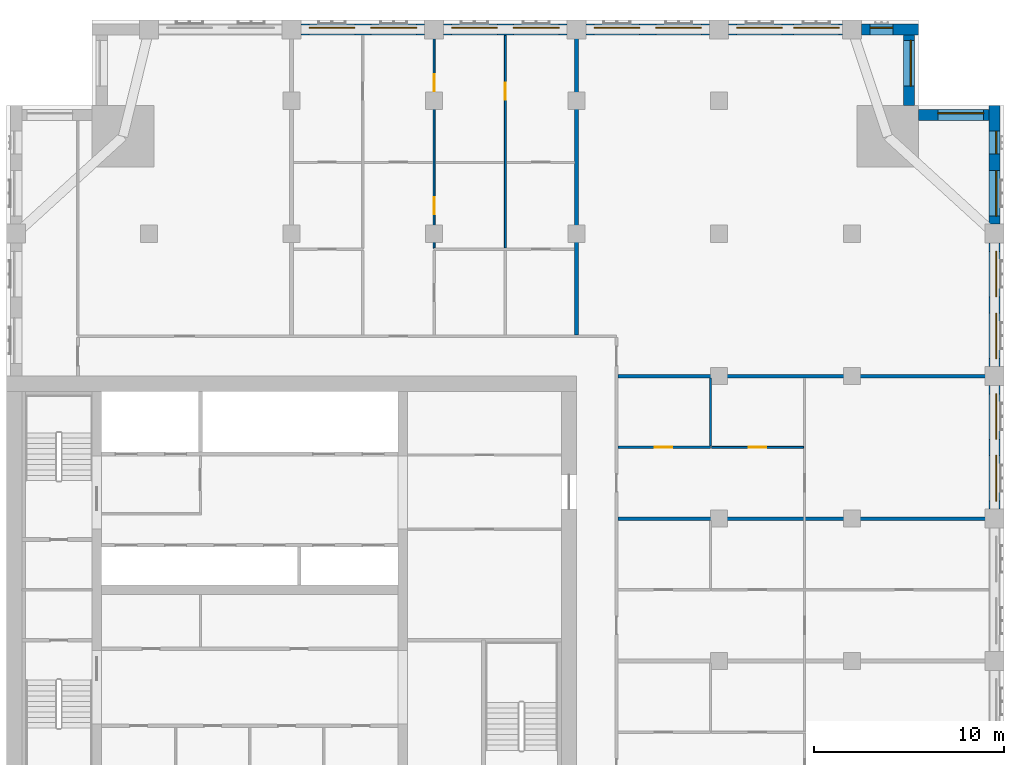
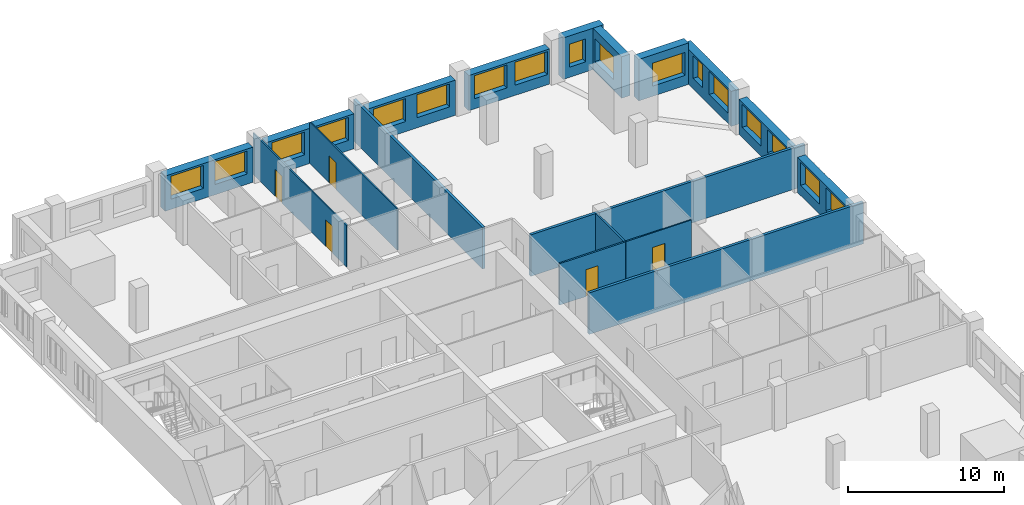
# One storey, part 11 of 14: 18 walls, 17 windows, 5 doors, 22 openings.
"""IFC4 building model written with IfcOpenShell, lengths in metres."""

import ifcopenshell
import ifcopenshell.guid

model = None  # the IFC model being written
_history = None  # IfcOwnerHistory: only IFC2X3 demands one
_inside = {}  # id of a spatial element -> (the spatial element, [elements in it])
_under = {}  # id of a project, library or spatial element -> (it, [spatial elements below it])
_declared = {}  # id of a project -> (the project, [libraries it declares])
_typed = {}  # id of a type object -> (the type object, [elements of that type])
_made_of = {}  # id of a material, layer set ... -> (it, [elements and type objects made of it])


def new_model(schema):
    """Start an empty IFC model of exactly this schema.

    Asked for "IFC4X3", IfcOpenShell would pick the latest addendum, in which some entities
    have other attributes; the version numbers below select the first issue.
    IFC2X3 requires an IfcOwnerHistory on every rooted entity: one is made here for all.
    """
    global model, _history
    if schema == "IFC4X3":
        model = ifcopenshell.file(schema_version=(4, 3, 0, 0))
    else:
        model = ifcopenshell.file(schema=schema)
    _inside.clear()
    _under.clear()
    _declared.clear()
    _typed.clear()
    _made_of.clear()
    _history = None
    if model.schema == "IFC2X3":
        org = make("IfcOrganization", Name="unknown")
        user = make(
            "IfcPersonAndOrganization",
            ThePerson=make("IfcPerson", FamilyName="unknown"),
            TheOrganization=org,
        )
        app = make(
            "IfcApplication",
            ApplicationDeveloper=org,
            Version="unknown",
            ApplicationFullName="unknown",
            ApplicationIdentifier="unknown",
        )
        _history = make(
            "IfcOwnerHistory",
            OwningUser=user,
            OwningApplication=app,
            ChangeAction="ADDED",
            CreationDate=0,
        )
    return model


def make(cls, **values):
    """One entity of the class cls with the attributes given. An attribute that is None is left unset."""
    return model.create_entity(
        cls, **{name: value for name, value in values.items() if value is not None}
    )


def rooted(cls, **values):
    """An entity with a GlobalId (a new one), such as an element, a storey or a relation."""
    return make(cls, GlobalId=ifcopenshell.guid.new(), OwnerHistory=_history, **values)


def si_unit(unit_type, name, prefix=None):
    """IfcSIUnit, for example si_unit("LENGTHUNIT", "METRE", prefix="MILLI")."""
    return make("IfcSIUnit", UnitType=unit_type, Prefix=prefix, Name=name)


def assignment(units):
    """IfcUnitAssignment: the units of a project."""
    return None if units is None else make("IfcUnitAssignment", Units=units)


def point(xyz):
    """IfcCartesianPoint."""
    return None if xyz is None else make("IfcCartesianPoint", Coordinates=xyz)


def direction(xyz):
    """IfcDirection."""
    return None if xyz is None else make("IfcDirection", DirectionRatios=xyz)


def frame(location, z_axis=None, x_axis=None):
    """IfcAxis2Placement3D, a coordinate frame: its origin and axes. An axis left out is left unset."""
    return make(
        "IfcAxis2Placement3D",
        Location=point(location),
        Axis=direction(z_axis),
        RefDirection=direction(x_axis),
    )


def frame_2d(location, x_axis=None):
    """IfcAxis2Placement2D, a coordinate frame in the plane: its origin and x axis."""
    return make(
        "IfcAxis2Placement2D", Location=point(location), RefDirection=direction(x_axis)
    )


def origin():
    """The frame at (0, 0, 0) with its axes left unset."""
    return frame((0.0, 0.0, 0.0))


def place(relative_to, where):
    """IfcLocalPlacement: puts the frame where relative to a parent placement (None: the world)."""
    return make(
        "IfcLocalPlacement", PlacementRelTo=relative_to, RelativePlacement=where
    )


def context(
    kind, dimensions, precision=None, world=None, true_north=None, identifier=None
):
    """IfcGeometricRepresentationContext, for example the 3D "Model" context."""
    return make(
        "IfcGeometricRepresentationContext",
        ContextIdentifier=identifier,
        ContextType=kind,
        CoordinateSpaceDimension=dimensions,
        Precision=precision,
        WorldCoordinateSystem=world,
        TrueNorth=true_north,
    )


def subcontext(parent, identifier, kind, view, scale=None):
    """IfcGeometricRepresentationSubContext, for example "Body" below "Model"."""
    return make(
        "IfcGeometricRepresentationSubContext",
        ContextIdentifier=identifier,
        ContextType=kind,
        ParentContext=parent,
        TargetScale=scale,
        TargetView=view,
    )


def project(units=None, contexts=None):
    """IfcProject with its units and contexts."""
    return rooted(
        "IfcProject",
        Name="project",
        RepresentationContexts=contexts,
        UnitsInContext=assignment(units),
    )


def spatial(cls, under=None, at=None, **own):
    """A site, building, storey or space (cls), placed at a placement, below another one or the project."""
    s = rooted(cls, ObjectPlacement=at, **own)
    if under is not None:
        _under.setdefault(under.id(), (under, []))[1].append(s)
    return s


def profile(cls, at=None, kind="AREA", **sizes):
    """A parametric profile (cls). Its sizes go by their IFC names, for example OverallWidth=200.0."""
    return make(cls, ProfileType=kind, Position=at, **sizes)


def rectangle(**sizes):
    """IfcRectangleProfileDef."""
    return profile("IfcRectangleProfileDef", **sizes)


def extrude(swept, where, along, depth):
    """IfcExtrudedAreaSolid: the profile swept, set in the frame where, extruded along a direction by depth."""
    return make(
        "IfcExtrudedAreaSolid",
        SweptArea=swept,
        Position=where,
        ExtrudedDirection=direction(along),
        Depth=depth,
    )


def shape(context_of_items, identifier, shape_type, items):
    """IfcShapeRepresentation: the items that make up one representation, for example the "Body"."""
    return make(
        "IfcShapeRepresentation",
        ContextOfItems=context_of_items,
        RepresentationIdentifier=identifier,
        RepresentationType=shape_type,
        Items=items,
    )


def material(Name=None, Category=None):
    """IfcMaterial."""
    return make("IfcMaterial", Name=Name, Category=Category)


def layer(
    of_material, thickness, ventilated=None, Name=None, Category=None, Priority=None
):
    """IfcMaterialLayer: one layer of a wall or slab, of a material (None: an air gap)."""
    return make(
        "IfcMaterialLayer",
        Material=of_material,
        LayerThickness=thickness,
        IsVentilated=ventilated,
        Name=Name,
        Category=Category,
        Priority=Priority,
    )


def layer_set(layers, Name=None):
    """IfcMaterialLayerSet."""
    return make("IfcMaterialLayerSet", MaterialLayers=layers, LayerSetName=Name)


def made_of(thing, what):
    """Note that an element or type object is made of a material, layer set ...; save() writes the relation."""
    if what is not None:
        _made_of.setdefault(what.id(), (what, []))[1].append(thing)
    return thing


def type_object(cls, material=None, **own):
    """A type object (cls), such as IfcWallType, which elements share."""
    return made_of(rooted(cls, **own), material)


def element(
    cls,
    number,
    at=None,
    inside=None,
    cuts=None,
    type_object=None,
    material=None,
    context=None,
    identifier="Body",
    shape_type=None,
    held_by="IfcProductDefinitionShape",
    body=None,
    shapes=None,
    **own,
):
    """One element of the class cls, such as IfcWall. Its Tag is "e" and its number.

    at: its placement. inside: the storey or other place that contains it. cuts: it is an
    opening in that element (IfcRelVoidsElement). A single representation is given by context,
    identifier, shape_type and body (its items); several are given by shapes. held_by: the class
    of the entity that holds the representations. save() writes the other relations.
    """
    e = rooted(cls, Tag="e%d" % number, ObjectPlacement=at, **own)
    if body is not None:
        shapes = [shape(context, identifier, shape_type, body)]
    if shapes is not None:
        e.Representation = make(held_by, Representations=shapes)
    if inside is not None:
        _inside.setdefault(inside.id(), (inside, []))[1].append(e)
    if cuts is not None:
        rooted(
            "IfcRelVoidsElement", RelatingBuildingElement=cuts, RelatedOpeningElement=e
        )
    if type_object is not None:
        _typed.setdefault(type_object.id(), (type_object, []))[1].append(e)
    return made_of(e, material)


def fill(opening, filler):
    """IfcRelFillsElement: the door or window that sits in an opening."""
    return rooted(
        "IfcRelFillsElement",
        RelatingOpeningElement=opening,
        RelatedBuildingElement=filler,
    )


def aggregate(whole, parts):
    """IfcRelAggregates: a whole, such as a stair, and the parts it consists of."""
    return rooted("IfcRelAggregates", RelatingObject=whole, RelatedObjects=parts)


def save(model, path):
    """Write the relations noted so far, then the file.

    IfcRelAggregates (storeys below a building ...), IfcRelContainedInSpatialStructure (elements
    in a storey), IfcRelDefinesByType, IfcRelAssociatesMaterial and IfcRelDeclares: one each for
    every whole, place, type object, material and project.
    """
    for whole, parts in _under.values():
        aggregate(whole, parts)
    for where, things in _inside.values():
        rooted(
            "IfcRelContainedInSpatialStructure",
            RelatedElements=things,
            RelatingStructure=where,
        )
    for kind, things in _typed.values():
        rooted("IfcRelDefinesByType", RelatedObjects=things, RelatingType=kind)
    for what, things in _made_of.values():
        rooted("IfcRelAssociatesMaterial", RelatedObjects=things, RelatingMaterial=what)
    for by, libraries in _declared.values():
        rooted("IfcRelDeclares", RelatingContext=by, RelatedDefinitions=libraries)
    model.write(path)


model = new_model("IFC4")

# Units and contexts
model_context = context("Model", 3, precision=1e-05, world=origin(), true_north=direction((0.0, 1.0)))
body_context = subcontext(model_context, "Body", "Model", "MODEL_VIEW")
ifc_project = project(units=[si_unit("LENGTHUNIT", "METRE"), si_unit("AREAUNIT", "SQUARE_METRE"), si_unit("VOLUMEUNIT", "CUBIC_METRE"), si_unit("PLANEANGLEUNIT", "RADIAN"), si_unit("MASSUNIT", "GRAM", prefix="KILO")], contexts=[model_context])

# Site, building, storey
site_placement = place(None, origin())
site = spatial("IfcSite", under=ifc_project, at=site_placement, CompositionType="ELEMENT")
building_placement = place(site_placement, origin())
building = spatial("IfcBuilding", under=site, at=building_placement, Name="Tamorin Gate", CompositionType="ELEMENT")
storey_placement = place(building_placement, frame((0.0, 0.0, 200.199951171875)))
storey = spatial("IfcBuildingStorey", under=building, at=storey_placement, Name="L49", CompositionType="ELEMENT", Elevation=200.199951171875)

# Wall, openings, windows
ifc_material_1 = material(Name="Precast concrete C40/50", Category="concrete")
ifc_layer_1 = layer(ifc_material_1, 0.60009765625)
ifc_layer_set_1 = layer_set([ifc_layer_1], Name="Precast concrete C40/50")
wall_type_1 = type_object("IfcWallType", Name="Board-marked concrete facade panel 600", PredefinedType="SOLIDWALL", material=ifc_layer_set_1)
wall_1_placement = place(storey_placement, frame((82.0, 75.5, 0.0), z_axis=(0.0, 0.0, 1.0), x_axis=(0.0, 1.0, 0.0)))
wall_1 = element("IfcWall", 1, at=wall_1_placement, inside=storey, type_object=wall_type_1, Name="Facade panel", PredefinedType="SOLIDWALL", context=body_context, shape_type="SweptSolid", body=[
    extrude(rectangle(XDim=6.5, YDim=0.60009765625, at=frame_2d((3.25, 0.0))), origin(), (0.0, 0.0, 1.0), 2.75),
])
opening_1_placement = place(wall_1_placement, frame((0.425048828125, 0.0, 0.800048828125)))
opening_1 = element("IfcOpeningElement", 2, at=opening_1_placement, cuts=wall_1, Name="Opening WN1", PredefinedType="OPENING", context=body_context, shape_type="SweptSolid", body=[
    extrude(rectangle(XDim=2.39990234375, YDim=1.800048828125, at=frame_2d((1.199951171875, 0.89990234375))), frame((0.0, 0.31005859375, 0.0), z_axis=(0.0, -1.0, 0.0), x_axis=(1.0, 0.0, 0.0)), (0.0, 0.0, 1.0), 0.6201171875),
])
opening_2_placement = place(wall_1_placement, frame((3.675048828125, 0.0, 0.800048828125)))
opening_2 = element("IfcOpeningElement", 3, at=opening_2_placement, cuts=wall_1, Name="Opening WN1", PredefinedType="OPENING", context=body_context, shape_type="SweptSolid", body=[
    extrude(rectangle(XDim=2.39990234375, YDim=1.800048828125, at=frame_2d((1.199951171875, 0.89990234375))), frame((0.0, 0.31005859375, 0.0), z_axis=(0.0, -1.0, 0.0), x_axis=(1.0, 0.0, 0.0)), (0.0, 0.0, 1.0), 0.6201171875),
])
ifc_material_2 = material(Name="Clear glass in aluminium frame", Category="aluminium")
window_type_1 = type_object("IfcWindowType", Name="Deep-set window 2400x1800", PartitioningType="SINGLE_PANEL", PredefinedType="WINDOW", material=ifc_material_2)
window_1_placement = place(opening_1_placement, origin())
window_1 = element("IfcWindow", 4, at=window_1_placement, inside=storey, type_object=window_type_1, Name="Deep-set window", OverallHeight=1.800048828125, OverallWidth=2.39990234375, PartitioningType="SINGLE_PANEL", PredefinedType="WINDOW", context=body_context, shape_type="SweptSolid", body=[
    extrude(rectangle(XDim=2.39990234375, YDim=1.800048828125, at=frame_2d((1.199951171875, 0.89990234375))), frame((0.0, -0.070068359375, 0.0), z_axis=(0.0, -1.0, 0.0), x_axis=(1.0, 0.0, 0.0)), (0.0, 0.0, 1.0), 0.06005859375),
])
fill(opening_1, window_1)
window_2_placement = place(opening_2_placement, origin())
window_2 = element("IfcWindow", 5, at=window_2_placement, inside=storey, type_object=window_type_1, Name="Deep-set window", OverallHeight=1.800048828125, OverallWidth=2.39990234375, PartitioningType="SINGLE_PANEL", PredefinedType="WINDOW", context=body_context, shape_type="SweptSolid", body=[
    extrude(rectangle(XDim=2.39990234375, YDim=1.800048828125, at=frame_2d((1.199951171875, 0.89990234375))), frame((0.0, -0.070068359375, 0.0), z_axis=(0.0, -1.0, 0.0), x_axis=(1.0, 0.0, 0.0)), (0.0, 0.0, 1.0), 0.06005859375),
])
fill(opening_2, window_2)

wall_2_placement = place(storey_placement, frame((82.0, 83.0, 0.0), z_axis=(0.0, 0.0, 1.0), x_axis=(0.0, 1.0, 0.0)))
wall_2 = element("IfcWall", 6, at=wall_2_placement, inside=storey, type_object=wall_type_1, Name="Facade panel", PredefinedType="SOLIDWALL", context=body_context, shape_type="SweptSolid", body=[
    extrude(rectangle(XDim=6.5, YDim=0.60009765625, at=frame_2d((3.25, 0.0))), origin(), (0.0, 0.0, 1.0), 2.75),
])
opening_3_placement = place(wall_2_placement, frame((0.425048828125, 0.0, 0.800048828125)))
opening_3 = element("IfcOpeningElement", 7, at=opening_3_placement, cuts=wall_2, Name="Opening WN1", PredefinedType="OPENING", context=body_context, shape_type="SweptSolid", body=[
    extrude(rectangle(XDim=2.39990234375, YDim=1.800048828125, at=frame_2d((1.199951171875, 0.89990234375))), frame((0.0, 0.31005859375, 0.0), z_axis=(0.0, -1.0, 0.0), x_axis=(1.0, 0.0, 0.0)), (0.0, 0.0, 1.0), 0.6201171875),
])
opening_4_placement = place(wall_2_placement, frame((3.675048828125, 0.0, 0.800048828125)))
opening_4 = element("IfcOpeningElement", 8, at=opening_4_placement, cuts=wall_2, Name="Opening WN1", PredefinedType="OPENING", context=body_context, shape_type="SweptSolid", body=[
    extrude(rectangle(XDim=2.39990234375, YDim=1.800048828125, at=frame_2d((1.199951171875, 0.89990234375))), frame((0.0, 0.31005859375, 0.0), z_axis=(0.0, -1.0, 0.0), x_axis=(1.0, 0.0, 0.0)), (0.0, 0.0, 1.0), 0.6201171875),
])
window_3_placement = place(opening_3_placement, origin())
window_3 = element("IfcWindow", 9, at=window_3_placement, inside=storey, type_object=window_type_1, Name="Deep-set window", OverallHeight=1.800048828125, OverallWidth=2.39990234375, PartitioningType="SINGLE_PANEL", PredefinedType="WINDOW", context=body_context, shape_type="SweptSolid", body=[
    extrude(rectangle(XDim=2.39990234375, YDim=1.800048828125, at=frame_2d((1.199951171875, 0.89990234375))), frame((0.0, -0.070068359375, 0.0), z_axis=(0.0, -1.0, 0.0), x_axis=(1.0, 0.0, 0.0)), (0.0, 0.0, 1.0), 0.06005859375),
])
fill(opening_3, window_3)
window_4_placement = place(opening_4_placement, origin())
window_4 = element("IfcWindow", 10, at=window_4_placement, inside=storey, type_object=window_type_1, Name="Deep-set window", OverallHeight=1.800048828125, OverallWidth=2.39990234375, PartitioningType="SINGLE_PANEL", PredefinedType="WINDOW", context=body_context, shape_type="SweptSolid", body=[
    extrude(rectangle(XDim=2.39990234375, YDim=1.800048828125, at=frame_2d((1.199951171875, 0.89990234375))), frame((0.0, -0.070068359375, 0.0), z_axis=(0.0, -1.0, 0.0), x_axis=(1.0, 0.0, 0.0)), (0.0, 0.0, 1.0), 0.06005859375),
])
fill(opening_4, window_4)

wall_3_placement = place(storey_placement, frame((82.0, 90.5, 0.0), z_axis=(0.0, 0.0, 1.0), x_axis=(0.0, 1.0, 0.0)))
wall_3 = element("IfcWall", 11, at=wall_3_placement, inside=storey, type_object=wall_type_1, Name="Facade panel", PredefinedType="SOLIDWALL", context=body_context, shape_type="SweptSolid", body=[
    extrude(rectangle(XDim=6.25, YDim=0.60009765625, at=frame_2d((3.125, 0.0))), origin(), (0.0, 0.0, 1.0), 2.75),
])
opening_5_placement = place(wall_3_placement, frame((0.425048828125, 0.0, 0.800048828125)))
opening_5 = element("IfcOpeningElement", 12, at=opening_5_placement, cuts=wall_3, Name="Opening WN1", PredefinedType="OPENING", context=body_context, shape_type="SweptSolid", body=[
    extrude(rectangle(XDim=2.39990234375, YDim=1.800048828125, at=frame_2d((1.199951171875, 0.89990234375))), frame((0.0, 0.31005859375, 0.0), z_axis=(0.0, -1.0, 0.0), x_axis=(1.0, 0.0, 0.0)), (0.0, 0.0, 1.0), 0.6201171875),
])
opening_6_placement = place(wall_3_placement, frame((3.699951171875, 0.0, 0.800048828125)))
opening_6 = element("IfcOpeningElement", 13, at=opening_6_placement, cuts=wall_3, Name="Opening WN3", PredefinedType="OPENING", context=body_context, shape_type="SweptSolid", body=[
    extrude(rectangle(XDim=1.199951171875, YDim=1.800048828125, at=frame_2d((0.60009765625, 0.89990234375))), frame((0.0, 0.31005859375, 0.0), z_axis=(0.0, -1.0, 0.0), x_axis=(1.0, 0.0, 0.0)), (0.0, 0.0, 1.0), 0.6201171875),
])
window_type_2 = type_object("IfcWindowType", Name="Deep-set window 1200x1800", PartitioningType="SINGLE_PANEL", PredefinedType="WINDOW", material=ifc_material_2)
window_5_placement = place(opening_6_placement, origin())
window_5 = element("IfcWindow", 14, at=window_5_placement, inside=storey, type_object=window_type_2, Name="Deep-set window", OverallHeight=1.800048828125, OverallWidth=1.199951171875, PartitioningType="SINGLE_PANEL", PredefinedType="WINDOW", context=body_context, shape_type="SweptSolid", body=[
    extrude(rectangle(XDim=1.199951171875, YDim=1.800048828125, at=frame_2d((0.60009765625, 0.89990234375))), frame((0.0, -0.070068359375, 0.0), z_axis=(0.0, -1.0, 0.0), x_axis=(1.0, 0.0, 0.0)), (0.0, 0.0, 1.0), 0.06005859375),
])
fill(opening_6, window_5)
window_6_placement = place(opening_5_placement, origin())
window_6 = element("IfcWindow", 15, at=window_6_placement, inside=storey, type_object=window_type_1, Name="Deep-set window", OverallHeight=1.800048828125, OverallWidth=2.39990234375, PartitioningType="SINGLE_PANEL", PredefinedType="WINDOW", context=body_context, shape_type="SweptSolid", body=[
    extrude(rectangle(XDim=2.39990234375, YDim=1.800048828125, at=frame_2d((1.199951171875, 0.89990234375))), frame((0.0, -0.070068359375, 0.0), z_axis=(0.0, -1.0, 0.0), x_axis=(1.0, 0.0, 0.0)), (0.0, 0.0, 1.0), 0.06005859375),
])
fill(opening_5, window_6)

# Wall, opening, window
wall_4_placement = place(storey_placement, frame((81.699951171875, 96.25, 0.0), z_axis=(0.0, 0.0, 1.0), x_axis=(-1.0, 0.0, 0.0)))
wall_4 = element("IfcWall", 16, at=wall_4_placement, inside=storey, type_object=wall_type_1, Name="Facade panel", PredefinedType="SOLIDWALL", context=body_context, shape_type="SweptSolid", body=[
    extrude(rectangle(XDim=3.699951171875, YDim=0.60009765625, at=frame_2d((1.85009765625, 0.0))), origin(), (0.0, 0.0, 1.0), 3.25),
])
opening_7_placement = place(wall_4_placement, frame((0.27490234375, 0.0, 0.800048828125)))
opening_7 = element("IfcOpeningElement", 17, at=opening_7_placement, cuts=wall_4, Name="Opening WN1", PredefinedType="OPENING", context=body_context, shape_type="SweptSolid", body=[
    extrude(rectangle(XDim=2.39990234375, YDim=1.800048828125, at=frame_2d((1.199951171875, 0.89990234375))), frame((0.0, 0.31005859375, 0.0), z_axis=(0.0, -1.0, 0.0), x_axis=(1.0, 0.0, 0.0)), (0.0, 0.0, 1.0), 0.6201171875),
])
window_7_placement = place(opening_7_placement, origin())
window_7 = element("IfcWindow", 18, at=window_7_placement, inside=storey, type_object=window_type_1, Name="Deep-set window", OverallHeight=1.800048828125, OverallWidth=2.39990234375, PartitioningType="SINGLE_PANEL", PredefinedType="WINDOW", context=body_context, shape_type="SweptSolid", body=[
    extrude(rectangle(XDim=2.39990234375, YDim=1.800048828125, at=frame_2d((1.199951171875, 0.89990234375))), frame((0.0, -0.070068359375, 0.0), z_axis=(0.0, -1.0, 0.0), x_axis=(1.0, 0.0, 0.0)), (0.0, 0.0, 1.0), 0.06005859375),
])
fill(opening_7, window_7)

wall_5_placement = place(storey_placement, frame((77.5, 96.75, 0.0), z_axis=(0.0, 0.0, 1.0), x_axis=(0.0, 1.0, 0.0)))
wall_5 = element("IfcWall", 19, at=wall_5_placement, inside=storey, type_object=wall_type_1, Name="Facade panel", PredefinedType="SOLIDWALL", context=body_context, shape_type="SweptSolid", body=[
    extrude(rectangle(XDim=3.699951171875, YDim=0.60009765625, at=frame_2d((1.85009765625, 0.0))), origin(), (0.0, 0.0, 1.0), 3.25),
])
opening_8_placement = place(wall_5_placement, frame((1.02490234375, 0.0, 0.800048828125)))
opening_8 = element("IfcOpeningElement", 20, at=opening_8_placement, cuts=wall_5, Name="Opening WN1", PredefinedType="OPENING", context=body_context, shape_type="SweptSolid", body=[
    extrude(rectangle(XDim=2.39990234375, YDim=1.800048828125, at=frame_2d((1.199951171875, 0.89990234375))), frame((0.0, 0.31005859375, 0.0), z_axis=(0.0, -1.0, 0.0), x_axis=(1.0, 0.0, 0.0)), (0.0, 0.0, 1.0), 0.6201171875),
])
window_8_placement = place(opening_8_placement, origin())
window_8 = element("IfcWindow", 21, at=window_8_placement, inside=storey, type_object=window_type_1, Name="Deep-set window", OverallHeight=1.800048828125, OverallWidth=2.39990234375, PartitioningType="SINGLE_PANEL", PredefinedType="WINDOW", context=body_context, shape_type="SweptSolid", body=[
    extrude(rectangle(XDim=2.39990234375, YDim=1.800048828125, at=frame_2d((1.199951171875, 0.89990234375))), frame((0.0, -0.070068359375, 0.0), z_axis=(0.0, -1.0, 0.0), x_axis=(1.0, 0.0, 0.0)), (0.0, 0.0, 1.0), 0.06005859375),
])
fill(opening_8, window_8)

wall_6_placement = place(storey_placement, frame((78.0, 100.75, 0.0), z_axis=(0.0, 0.0, 1.0), x_axis=(-1.0, 0.0, 0.0)))
wall_6 = element("IfcWall", 22, at=wall_6_placement, inside=storey, type_object=wall_type_1, Name="Facade panel", PredefinedType="SOLIDWALL", context=body_context, shape_type="SweptSolid", body=[
    extrude(rectangle(XDim=3.0, YDim=0.60009765625, at=frame_2d((1.5, 0.0))), origin(), (0.0, 0.0, 1.0), 3.25),
])
opening_9_placement = place(wall_6_placement, frame((1.35009765625, 0.0, 0.800048828125)))
opening_9 = element("IfcOpeningElement", 23, at=opening_9_placement, cuts=wall_6, Name="Opening WN3", PredefinedType="OPENING", context=body_context, shape_type="SweptSolid", body=[
    extrude(rectangle(XDim=1.199951171875, YDim=1.800048828125, at=frame_2d((0.60009765625, 0.89990234375))), frame((0.0, 0.31005859375, 0.0), z_axis=(0.0, -1.0, 0.0), x_axis=(1.0, 0.0, 0.0)), (0.0, 0.0, 1.0), 0.6201171875),
])
window_9_placement = place(opening_9_placement, origin())
window_9 = element("IfcWindow", 24, at=window_9_placement, inside=storey, type_object=window_type_2, Name="Deep-set window", OverallHeight=1.800048828125, OverallWidth=1.199951171875, PartitioningType="SINGLE_PANEL", PredefinedType="WINDOW", context=body_context, shape_type="SweptSolid", body=[
    extrude(rectangle(XDim=1.199951171875, YDim=1.800048828125, at=frame_2d((0.60009765625, 0.89990234375))), frame((0.0, -0.070068359375, 0.0), z_axis=(0.0, -1.0, 0.0), x_axis=(1.0, 0.0, 0.0)), (0.0, 0.0, 1.0), 0.06005859375),
])
fill(opening_9, window_9)

# Wall, openings, windows
wall_7_placement = place(storey_placement, frame((74.0, 100.75, 0.0), z_axis=(0.0, 0.0, 1.0), x_axis=(-1.0, 0.0, 0.0)))
wall_7 = element("IfcWall", 25, at=wall_7_placement, inside=storey, type_object=wall_type_1, Name="Facade panel", PredefinedType="SOLIDWALL", context=body_context, shape_type="SweptSolid", body=[
    extrude(rectangle(XDim=6.0, YDim=0.60009765625, at=frame_2d((3.0, 0.0))), origin(), (0.0, 0.0, 1.0), 2.75),
])
opening_10_placement = place(wall_7_placement, frame((3.175048828125, 0.0, 0.800048828125)))
opening_10 = element("IfcOpeningElement", 26, at=opening_10_placement, cuts=wall_7, Name="Opening WN1", PredefinedType="OPENING", context=body_context, shape_type="SweptSolid", body=[
    extrude(rectangle(XDim=2.39990234375, YDim=1.800048828125, at=frame_2d((1.199951171875, 0.89990234375))), frame((0.0, 0.31005859375, 0.0), z_axis=(0.0, -1.0, 0.0), x_axis=(1.0, 0.0, 0.0)), (0.0, 0.0, 1.0), 0.6201171875),
])
opening_11_placement = place(wall_7_placement, frame((0.175048828125, 0.0, 0.800048828125)))
opening_11 = element("IfcOpeningElement", 27, at=opening_11_placement, cuts=wall_7, Name="Opening WN1", PredefinedType="OPENING", context=body_context, shape_type="SweptSolid", body=[
    extrude(rectangle(XDim=2.39990234375, YDim=1.800048828125, at=frame_2d((1.199951171875, 0.89990234375))), frame((0.0, 0.31005859375, 0.0), z_axis=(0.0, -1.0, 0.0), x_axis=(1.0, 0.0, 0.0)), (0.0, 0.0, 1.0), 0.6201171875),
])
window_10_placement = place(opening_10_placement, origin())
window_10 = element("IfcWindow", 28, at=window_10_placement, inside=storey, type_object=window_type_1, Name="Deep-set window", OverallHeight=1.800048828125, OverallWidth=2.39990234375, PartitioningType="SINGLE_PANEL", PredefinedType="WINDOW", context=body_context, shape_type="SweptSolid", body=[
    extrude(rectangle(XDim=2.39990234375, YDim=1.800048828125, at=frame_2d((1.199951171875, 0.89990234375))), frame((0.0, -0.070068359375, 0.0), z_axis=(0.0, -1.0, 0.0), x_axis=(1.0, 0.0, 0.0)), (0.0, 0.0, 1.0), 0.06005859375),
])
fill(opening_10, window_10)
window_11_placement = place(opening_11_placement, origin())
window_11 = element("IfcWindow", 29, at=window_11_placement, inside=storey, type_object=window_type_1, Name="Deep-set window", OverallHeight=1.800048828125, OverallWidth=2.39990234375, PartitioningType="SINGLE_PANEL", PredefinedType="WINDOW", context=body_context, shape_type="SweptSolid", body=[
    extrude(rectangle(XDim=2.39990234375, YDim=1.800048828125, at=frame_2d((1.199951171875, 0.89990234375))), frame((0.0, -0.070068359375, 0.0), z_axis=(0.0, -1.0, 0.0), x_axis=(1.0, 0.0, 0.0)), (0.0, 0.0, 1.0), 0.06005859375),
])
fill(opening_11, window_11)

wall_8_placement = place(storey_placement, frame((67.0, 100.75, 0.0), z_axis=(0.0, 0.0, 1.0), x_axis=(-1.0, 0.0, 0.0)))
wall_8 = element("IfcWall", 30, at=wall_8_placement, inside=storey, type_object=wall_type_1, Name="Facade panel", PredefinedType="SOLIDWALL", context=body_context, shape_type="SweptSolid", body=[
    extrude(rectangle(XDim=6.5, YDim=0.60009765625, at=frame_2d((3.25, 0.0))), origin(), (0.0, 0.0, 1.0), 2.75),
])
opening_12_placement = place(wall_8_placement, frame((3.675048828125, 0.0, 0.800048828125)))
opening_12 = element("IfcOpeningElement", 31, at=opening_12_placement, cuts=wall_8, Name="Opening WN1", PredefinedType="OPENING", context=body_context, shape_type="SweptSolid", body=[
    extrude(rectangle(XDim=2.39990234375, YDim=1.800048828125, at=frame_2d((1.199951171875, 0.89990234375))), frame((0.0, 0.31005859375, 0.0), z_axis=(0.0, -1.0, 0.0), x_axis=(1.0, 0.0, 0.0)), (0.0, 0.0, 1.0), 0.6201171875),
])
opening_13_placement = place(wall_8_placement, frame((0.425048828125, 0.0, 0.800048828125)))
opening_13 = element("IfcOpeningElement", 32, at=opening_13_placement, cuts=wall_8, Name="Opening WN1", PredefinedType="OPENING", context=body_context, shape_type="SweptSolid", body=[
    extrude(rectangle(XDim=2.39990234375, YDim=1.800048828125, at=frame_2d((1.199951171875, 0.89990234375))), frame((0.0, 0.31005859375, 0.0), z_axis=(0.0, -1.0, 0.0), x_axis=(1.0, 0.0, 0.0)), (0.0, 0.0, 1.0), 0.6201171875),
])
window_12_placement = place(opening_12_placement, origin())
window_12 = element("IfcWindow", 33, at=window_12_placement, inside=storey, type_object=window_type_1, Name="Deep-set window", OverallHeight=1.800048828125, OverallWidth=2.39990234375, PartitioningType="SINGLE_PANEL", PredefinedType="WINDOW", context=body_context, shape_type="SweptSolid", body=[
    extrude(rectangle(XDim=2.39990234375, YDim=1.800048828125, at=frame_2d((1.199951171875, 0.89990234375))), frame((0.0, -0.070068359375, 0.0), z_axis=(0.0, -1.0, 0.0), x_axis=(1.0, 0.0, 0.0)), (0.0, 0.0, 1.0), 0.06005859375),
])
fill(opening_12, window_12)
window_13_placement = place(opening_13_placement, origin())
window_13 = element("IfcWindow", 34, at=window_13_placement, inside=storey, type_object=window_type_1, Name="Deep-set window", OverallHeight=1.800048828125, OverallWidth=2.39990234375, PartitioningType="SINGLE_PANEL", PredefinedType="WINDOW", context=body_context, shape_type="SweptSolid", body=[
    extrude(rectangle(XDim=2.39990234375, YDim=1.800048828125, at=frame_2d((1.199951171875, 0.89990234375))), frame((0.0, -0.070068359375, 0.0), z_axis=(0.0, -1.0, 0.0), x_axis=(1.0, 0.0, 0.0)), (0.0, 0.0, 1.0), 0.06005859375),
])
fill(opening_13, window_13)

wall_9_placement = place(storey_placement, frame((59.5, 100.75, 0.0), z_axis=(0.0, 0.0, 1.0), x_axis=(-1.0, 0.0, 0.0)))
wall_9 = element("IfcWall", 35, at=wall_9_placement, inside=storey, type_object=wall_type_1, Name="Facade panel", PredefinedType="SOLIDWALL", context=body_context, shape_type="SweptSolid", body=[
    extrude(rectangle(XDim=6.5, YDim=0.60009765625, at=frame_2d((3.25, 0.0))), origin(), (0.0, 0.0, 1.0), 2.75),
])
opening_14_placement = place(wall_9_placement, frame((3.675048828125, 0.0, 0.800048828125)))
opening_14 = element("IfcOpeningElement", 36, at=opening_14_placement, cuts=wall_9, Name="Opening WN1", PredefinedType="OPENING", context=body_context, shape_type="SweptSolid", body=[
    extrude(rectangle(XDim=2.39990234375, YDim=1.800048828125, at=frame_2d((1.199951171875, 0.89990234375))), frame((0.0, 0.31005859375, 0.0), z_axis=(0.0, -1.0, 0.0), x_axis=(1.0, 0.0, 0.0)), (0.0, 0.0, 1.0), 0.6201171875),
])
opening_15_placement = place(wall_9_placement, frame((0.425048828125, 0.0, 0.800048828125)))
opening_15 = element("IfcOpeningElement", 37, at=opening_15_placement, cuts=wall_9, Name="Opening WN1", PredefinedType="OPENING", context=body_context, shape_type="SweptSolid", body=[
    extrude(rectangle(XDim=2.39990234375, YDim=1.800048828125, at=frame_2d((1.199951171875, 0.89990234375))), frame((0.0, 0.31005859375, 0.0), z_axis=(0.0, -1.0, 0.0), x_axis=(1.0, 0.0, 0.0)), (0.0, 0.0, 1.0), 0.6201171875),
])
window_14_placement = place(opening_14_placement, origin())
window_14 = element("IfcWindow", 38, at=window_14_placement, inside=storey, type_object=window_type_1, Name="Deep-set window", OverallHeight=1.800048828125, OverallWidth=2.39990234375, PartitioningType="SINGLE_PANEL", PredefinedType="WINDOW", context=body_context, shape_type="SweptSolid", body=[
    extrude(rectangle(XDim=2.39990234375, YDim=1.800048828125, at=frame_2d((1.199951171875, 0.89990234375))), frame((0.0, -0.070068359375, 0.0), z_axis=(0.0, -1.0, 0.0), x_axis=(1.0, 0.0, 0.0)), (0.0, 0.0, 1.0), 0.06005859375),
])
fill(opening_14, window_14)
window_15_placement = place(opening_15_placement, origin())
window_15 = element("IfcWindow", 39, at=window_15_placement, inside=storey, type_object=window_type_1, Name="Deep-set window", OverallHeight=1.800048828125, OverallWidth=2.39990234375, PartitioningType="SINGLE_PANEL", PredefinedType="WINDOW", context=body_context, shape_type="SweptSolid", body=[
    extrude(rectangle(XDim=2.39990234375, YDim=1.800048828125, at=frame_2d((1.199951171875, 0.89990234375))), frame((0.0, -0.070068359375, 0.0), z_axis=(0.0, -1.0, 0.0), x_axis=(1.0, 0.0, 0.0)), (0.0, 0.0, 1.0), 0.06005859375),
])
fill(opening_15, window_15)

wall_10_placement = place(storey_placement, frame((52.0, 100.75, 0.0), z_axis=(0.0, 0.0, 1.0), x_axis=(-1.0, 0.0, 0.0)))
wall_10 = element("IfcWall", 40, at=wall_10_placement, inside=storey, type_object=wall_type_1, Name="Facade panel", PredefinedType="SOLIDWALL", context=body_context, shape_type="SweptSolid", body=[
    extrude(rectangle(XDim=6.5, YDim=0.60009765625, at=frame_2d((3.25, 0.0))), origin(), (0.0, 0.0, 1.0), 2.75),
])
opening_16_placement = place(wall_10_placement, frame((3.675048828125, 0.0, 0.800048828125)))
opening_16 = element("IfcOpeningElement", 41, at=opening_16_placement, cuts=wall_10, Name="Opening WN1", PredefinedType="OPENING", context=body_context, shape_type="SweptSolid", body=[
    extrude(rectangle(XDim=2.39990234375, YDim=1.800048828125, at=frame_2d((1.199951171875, 0.89990234375))), frame((0.0, 0.31005859375, 0.0), z_axis=(0.0, -1.0, 0.0), x_axis=(1.0, 0.0, 0.0)), (0.0, 0.0, 1.0), 0.6201171875),
])
opening_17_placement = place(wall_10_placement, frame((0.425048828125, 0.0, 0.800048828125)))
opening_17 = element("IfcOpeningElement", 42, at=opening_17_placement, cuts=wall_10, Name="Opening WN1", PredefinedType="OPENING", context=body_context, shape_type="SweptSolid", body=[
    extrude(rectangle(XDim=2.39990234375, YDim=1.800048828125, at=frame_2d((1.199951171875, 0.89990234375))), frame((0.0, 0.31005859375, 0.0), z_axis=(0.0, -1.0, 0.0), x_axis=(1.0, 0.0, 0.0)), (0.0, 0.0, 1.0), 0.6201171875),
])
window_16_placement = place(opening_16_placement, origin())
window_16 = element("IfcWindow", 43, at=window_16_placement, inside=storey, type_object=window_type_1, Name="Deep-set window", OverallHeight=1.800048828125, OverallWidth=2.39990234375, PartitioningType="SINGLE_PANEL", PredefinedType="WINDOW", context=body_context, shape_type="SweptSolid", body=[
    extrude(rectangle(XDim=2.39990234375, YDim=1.800048828125, at=frame_2d((1.199951171875, 0.89990234375))), frame((0.0, -0.070068359375, 0.0), z_axis=(0.0, -1.0, 0.0), x_axis=(1.0, 0.0, 0.0)), (0.0, 0.0, 1.0), 0.06005859375),
])
fill(opening_16, window_16)
window_17_placement = place(opening_17_placement, origin())
window_17 = element("IfcWindow", 44, at=window_17_placement, inside=storey, type_object=window_type_1, Name="Deep-set window", OverallHeight=1.800048828125, OverallWidth=2.39990234375, PartitioningType="SINGLE_PANEL", PredefinedType="WINDOW", context=body_context, shape_type="SweptSolid", body=[
    extrude(rectangle(XDim=2.39990234375, YDim=1.800048828125, at=frame_2d((1.199951171875, 0.89990234375))), frame((0.0, -0.070068359375, 0.0), z_axis=(0.0, -1.0, 0.0), x_axis=(1.0, 0.0, 0.0)), (0.0, 0.0, 1.0), 0.06005859375),
])
fill(opening_17, window_17)

# Walls
ifc_material_3 = material(Name="Gypsum board partition")
ifc_layer_2 = layer(ifc_material_3, 0.199951171875)
ifc_layer_set_2 = layer_set([ifc_layer_2], Name="Demising wall 200")
wall_type_2 = type_object("IfcWallType", Name="Demising wall 200", PredefinedType="PARTITIONING", material=ifc_layer_set_2)
for number, where, z_axis, x_axis, name in (
    (45, (62.175048828125, 75.0, 0.0), (0.0, 0.0, 1.0), (1.0, 0.0, 0.0), "Demising wall 200"),
    (46, (62.175048828125, 82.5, 0.0), (0.0, 0.0, 1.0), (1.0, 0.0, 0.0), "Demising wall 200"),
):
    element("IfcWall", number, at=place(storey_placement, frame(where, z_axis=z_axis, x_axis=x_axis)), inside=storey, type_object=wall_type_2, Name=name, PredefinedType="PARTITIONING", context=body_context, shape_type="SweptSolid", body=[
        extrude(rectangle(XDim=20.324951171875, YDim=0.199951171875, at=frame_2d((10.16259765625, 0.0))), origin(), (0.0, 0.0, 1.0), 3.25),
    ])
wall_11_placement = place(storey_placement, frame((60.0, 84.675048828125, 0.0), z_axis=(0.0, 0.0, 1.0), x_axis=(0.0, 1.0, 0.0)))
element("IfcWall", 47, at=wall_11_placement, inside=storey, type_object=wall_type_2, Name="Demising wall 200", PredefinedType="PARTITIONING", context=body_context, shape_type="SweptSolid", body=[
    extrude(rectangle(XDim=16.574951171875, YDim=0.199951171875, at=frame_2d((8.28759765625, 0.0))), origin(), (0.0, 0.0, 1.0), 3.25),
])

# Wall, opening, door
ifc_layer_3 = layer(ifc_material_3, 0.10009765625)
ifc_layer_set_3 = layer_set([ifc_layer_3], Name="Room partition 100")
wall_type_3 = type_object("IfcWallType", Name="Room partition 100", PredefinedType="PARTITIONING", material=ifc_layer_set_3)
wall_12_placement = place(storey_placement, frame((67.112548828125, 78.75, 0.0), z_axis=(0.0, 0.0, 1.0), x_axis=(1.0, 0.0, 0.0)))
wall_12 = element("IfcWall", 48, at=wall_12_placement, inside=storey, type_object=wall_type_3, Name="Room partition 100", PredefinedType="PARTITIONING", context=body_context, shape_type="SweptSolid", body=[
    extrude(rectangle(XDim=4.83740234375, YDim=0.10009765625, at=frame_2d((2.418701171875, 0.0))), origin(), (0.0, 0.0, 1.0), 3.25),
])
opening_18_placement = place(wall_12_placement, frame((1.96240234375, 0.0, 0.0)))
opening_18 = element("IfcOpeningElement", 49, at=opening_18_placement, cuts=wall_12, Name="Opening DR3046", PredefinedType="OPENING", context=body_context, shape_type="SweptSolid", body=[
    extrude(rectangle(XDim=0.89990234375, YDim=2.10009765625, at=frame_2d((0.449951171875, 1.050048828125))), frame((0.0, 0.06005859375, 0.0), z_axis=(0.0, -1.0, 0.0), x_axis=(1.0, 0.0, 0.0)), (0.0, 0.0, 1.0), 0.1201171875),
])
ifc_material_4 = material(Name="Timber door leaf", Category="wood")
door_type = type_object("IfcDoorType", Name="Door 900 x 2100", OperationType="NOTDEFINED", PredefinedType="DOOR", material=ifc_material_4)
door_1_placement = place(opening_18_placement, origin())
door_1 = element("IfcDoor", 50, at=door_1_placement, inside=storey, type_object=door_type, Name="Door DR3046", OperationType="SINGLE_SWING_LEFT", OverallHeight=2.10009765625, OverallWidth=0.89990234375, PredefinedType="DOOR", context=body_context, shape_type="SweptSolid", body=[
    extrude(rectangle(XDim=0.89990234375, YDim=2.10009765625, at=frame_2d((0.449951171875, 1.050048828125))), frame((0.0, 0.02490234375, 0.0), z_axis=(0.0, -1.0, 0.0), x_axis=(1.0, 0.0, 0.0)), (0.0, 0.0, 1.0), 0.050048828125),
])
fill(opening_18, door_1)

# Wall, openings, doors
wall_13_placement = place(storey_placement, frame((52.5, 89.237548828125, 0.0), z_axis=(0.0, 0.0, 1.0), x_axis=(0.0, 1.0, 0.0)))
wall_13 = element("IfcWall", 51, at=wall_13_placement, inside=storey, type_object=wall_type_3, Name="Room partition 100", PredefinedType="PARTITIONING", context=body_context, shape_type="SweptSolid", body=[
    extrude(rectangle(XDim=12.012451171875, YDim=0.10009765625, at=frame_2d((6.00634765625, 0.0))), origin(), (0.0, 0.0, 1.0), 3.25),
])
opening_19_placement = place(wall_13_placement, frame((1.77490234375, 0.0, 0.0)))
opening_19 = element("IfcOpeningElement", 52, at=opening_19_placement, cuts=wall_13, Name="Opening DR3026", PredefinedType="OPENING", context=body_context, shape_type="SweptSolid", body=[
    extrude(rectangle(XDim=0.89990234375, YDim=2.10009765625, at=frame_2d((0.449951171875, 1.050048828125))), frame((0.0, 0.06005859375, 0.0), z_axis=(0.0, -1.0, 0.0), x_axis=(1.0, 0.0, 0.0)), (0.0, 0.0, 1.0), 0.1201171875),
])
opening_20_placement = place(wall_13_placement, frame((8.262451171875, 0.0, 0.0)))
opening_20 = element("IfcOpeningElement", 53, at=opening_20_placement, cuts=wall_13, Name="Opening DR3031", PredefinedType="OPENING", context=body_context, shape_type="SweptSolid", body=[
    extrude(rectangle(XDim=0.89990234375, YDim=2.10009765625, at=frame_2d((0.449951171875, 1.050048828125))), frame((0.0, 0.06005859375, 0.0), z_axis=(0.0, -1.0, 0.0), x_axis=(1.0, 0.0, 0.0)), (0.0, 0.0, 1.0), 0.1201171875),
])
door_2_placement = place(opening_19_placement, origin())
door_2 = element("IfcDoor", 54, at=door_2_placement, inside=storey, type_object=door_type, Name="Door DR3026", OperationType="SINGLE_SWING_RIGHT", OverallHeight=2.10009765625, OverallWidth=0.89990234375, PredefinedType="DOOR", context=body_context, shape_type="SweptSolid", body=[
    extrude(rectangle(XDim=0.89990234375, YDim=2.10009765625, at=frame_2d((0.449951171875, 1.050048828125))), frame((0.0, 0.02490234375, 0.0), z_axis=(0.0, -1.0, 0.0), x_axis=(1.0, 0.0, 0.0)), (0.0, 0.0, 1.0), 0.050048828125),
])
fill(opening_19, door_2)
door_3_placement = place(opening_20_placement, origin())
door_3 = element("IfcDoor", 55, at=door_3_placement, inside=storey, type_object=door_type, Name="Door DR3031", OperationType="SINGLE_SWING_RIGHT", OverallHeight=2.10009765625, OverallWidth=0.89990234375, PredefinedType="DOOR", context=body_context, shape_type="SweptSolid", body=[
    extrude(rectangle(XDim=0.89990234375, YDim=2.10009765625, at=frame_2d((0.449951171875, 1.050048828125))), frame((0.0, 0.02490234375, 0.0), z_axis=(0.0, -1.0, 0.0), x_axis=(1.0, 0.0, 0.0)), (0.0, 0.0, 1.0), 0.050048828125),
])
fill(opening_20, door_3)

# Wall, opening, door
wall_14_placement = place(storey_placement, frame((56.25, 89.237548828125, 0.0), z_axis=(0.0, 0.0, 1.0), x_axis=(0.0, 1.0, 0.0)))
wall_14 = element("IfcWall", 56, at=wall_14_placement, inside=storey, type_object=wall_type_3, Name="Room partition 100", PredefinedType="PARTITIONING", context=body_context, shape_type="SweptSolid", body=[
    extrude(rectangle(XDim=11.202392578125, YDim=0.10009765625, at=frame_2d((5.60107421875, 0.0))), origin(), (0.0, 0.0, 1.0), 3.25),
])
opening_21_placement = place(wall_14_placement, frame((7.8125, 0.0, 0.0)))
opening_21 = element("IfcOpeningElement", 57, at=opening_21_placement, cuts=wall_14, Name="Opening DR3032", PredefinedType="OPENING", context=body_context, shape_type="SweptSolid", body=[
    extrude(rectangle(XDim=0.89990234375, YDim=2.10009765625, at=frame_2d((0.449951171875, 1.050048828125))), frame((0.0, 0.06005859375, 0.0), z_axis=(0.0, -1.0, 0.0), x_axis=(1.0, 0.0, 0.0)), (0.0, 0.0, 1.0), 0.1201171875),
])
door_4_placement = place(opening_21_placement, origin())
door_4 = element("IfcDoor", 58, at=door_4_placement, inside=storey, type_object=door_type, Name="Door DR3032", OperationType="SINGLE_SWING_LEFT", OverallHeight=2.10009765625, OverallWidth=0.89990234375, PredefinedType="DOOR", context=body_context, shape_type="SweptSolid", body=[
    extrude(rectangle(XDim=0.89990234375, YDim=2.10009765625, at=frame_2d((0.449951171875, 1.050048828125))), frame((0.0, 0.02490234375, 0.0), z_axis=(0.0, -1.0, 0.0), x_axis=(1.0, 0.0, 0.0)), (0.0, 0.0, 1.0), 0.050048828125),
])
fill(opening_21, door_4)

ifc_layer_4 = layer(ifc_material_3, 0.125)
ifc_layer_set_4 = layer_set([ifc_layer_4], Name="Wet wall 125")
wall_type_4 = type_object("IfcWallType", Name="Wet wall 125", PredefinedType="PARTITIONING", material=ifc_layer_set_4)
wall_15_placement = place(storey_placement, frame((62.175048828125, 78.75, 0.0), z_axis=(0.0, 0.0, 1.0), x_axis=(1.0, 0.0, 0.0)))
wall_15 = element("IfcWall", 59, at=wall_15_placement, inside=storey, type_object=wall_type_4, Name="Wet wall 125", PredefinedType="PARTITIONING", context=body_context, shape_type="SweptSolid", body=[
    extrude(rectangle(XDim=4.875, YDim=0.125, at=frame_2d((2.4375, 0.0))), origin(), (0.0, 0.0, 1.0), 3.25),
])
opening_22_placement = place(wall_15_placement, frame((1.949951171875, 0.0, 0.0)))
opening_22 = element("IfcOpeningElement", 60, at=opening_22_placement, cuts=wall_15, Name="Opening DR3047", PredefinedType="OPENING", context=body_context, shape_type="SweptSolid", body=[
    extrude(rectangle(XDim=0.89990234375, YDim=2.10009765625, at=frame_2d((0.449951171875, 1.050048828125))), frame((0.0, 0.072509765625, 0.0), z_axis=(0.0, -1.0, 0.0), x_axis=(1.0, 0.0, 0.0)), (0.0, 0.0, 1.0), 0.14501953125),
])
door_5_placement = place(opening_22_placement, origin())
door_5 = element("IfcDoor", 61, at=door_5_placement, inside=storey, type_object=door_type, Name="Door DR3047", OperationType="SINGLE_SWING_RIGHT", OverallHeight=2.10009765625, OverallWidth=0.89990234375, PredefinedType="DOOR", context=body_context, shape_type="SweptSolid", body=[
    extrude(rectangle(XDim=0.89990234375, YDim=2.10009765625, at=frame_2d((0.449951171875, 1.050048828125))), frame((0.0, 0.02490234375, 0.0), z_axis=(0.0, -1.0, 0.0), x_axis=(1.0, 0.0, 0.0)), (0.0, 0.0, 1.0), 0.050048828125),
])
fill(opening_22, door_5)

# Wall
wall_16_placement = place(storey_placement, frame((67.050048828125, 78.8125, 0.0), z_axis=(0.0, 0.0, 1.0), x_axis=(0.0, 1.0, 0.0)))
element("IfcWall", 62, at=wall_16_placement, inside=storey, type_object=wall_type_4, Name="Wet wall 125", PredefinedType="PARTITIONING", context=body_context, shape_type="SweptSolid", body=[
    extrude(rectangle(XDim=3.58740234375, YDim=0.125, at=frame_2d((1.793701171875, 0.0))), origin(), (0.0, 0.0, 1.0), 3.25),
])

save(model, "model.ifc")
